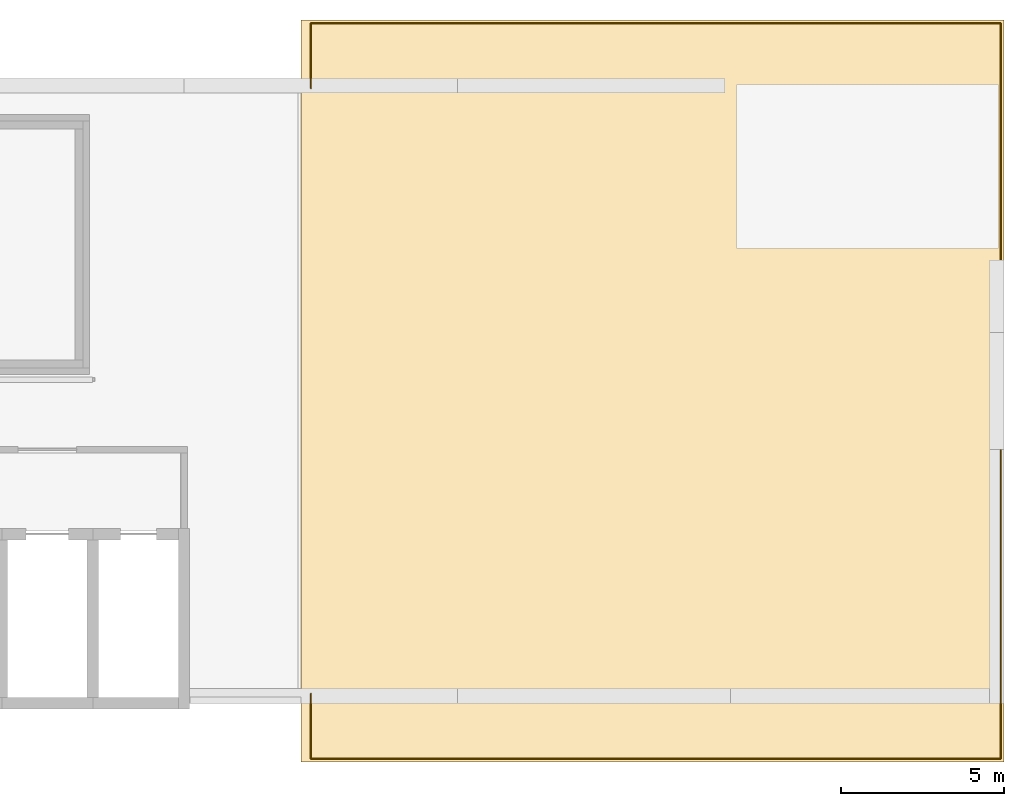
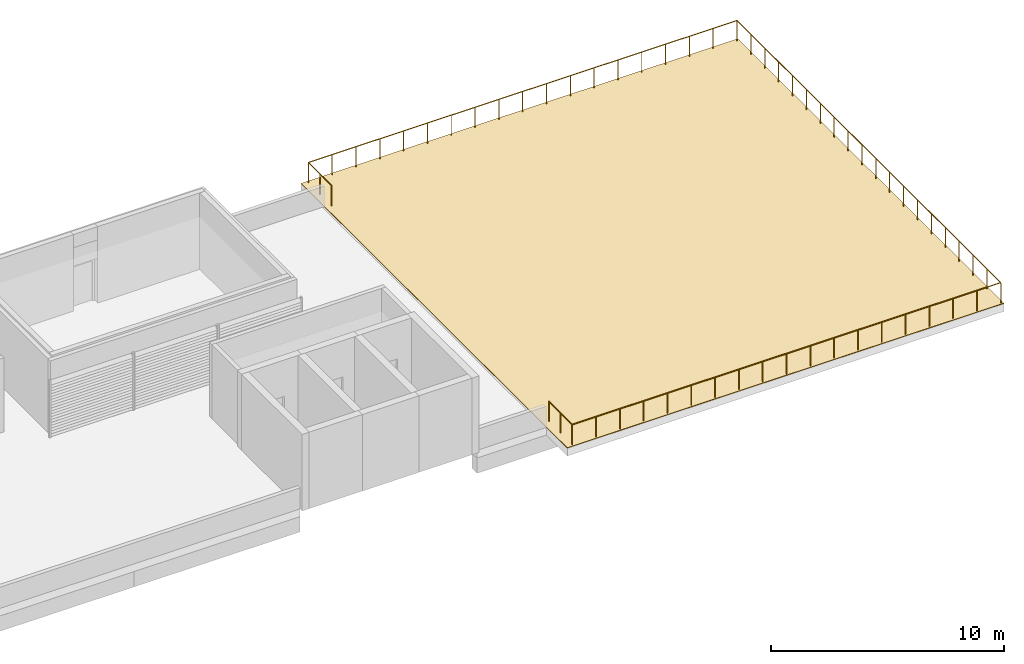
# One storey, part 13 of 13: 1 covering, 1 railing.
"""IFC4 building model written with IfcOpenShell, lengths in metres."""

from ifc_helpers import new_model, si_unit, direction, frame, origin, origin_2d, place, context, subcontext, project, spatial, polyline, circle, outline, extrude, material, layer, layer_set, type_object, element, save


model = new_model("IFC4")

# Units and contexts
model_context = context("Model", 3, precision=1e-05, world=origin(), true_north=direction((0.0, 1.0)))
body_context = subcontext(model_context, "Body", "Model", "MODEL_VIEW")
ifc_project = project(units=[si_unit("LENGTHUNIT", "METRE"), si_unit("AREAUNIT", "SQUARE_METRE"), si_unit("VOLUMEUNIT", "CUBIC_METRE"), si_unit("PLANEANGLEUNIT", "RADIAN"), si_unit("MASSUNIT", "GRAM", prefix="KILO")], contexts=[model_context])

# Site, building, storey
site_placement = place(None, origin())
site = spatial("IfcSite", under=ifc_project, at=site_placement, CompositionType="ELEMENT")
building_placement = place(site_placement, origin())
building = spatial("IfcBuilding", under=site, at=building_placement, Name="Bougainvillea Quay General Hospital", CompositionType="ELEMENT")
storey_placement = place(building_placement, frame((0.0, 0.0, 36.60009765625)))
storey = spatial("IfcBuildingStorey", under=building, at=storey_placement, Name="L08", CompositionType="ELEMENT", Elevation=36.60009765625)

# Covering
ifc_material_1 = material(Name="Epoxy non-slip helideck coating, dark green")
ifc_layer = layer(ifc_material_1, 0.030029296875)
ifc_layer_set = layer_set([ifc_layer], Name="Epoxy non-slip helideck coating, dark green")
covering_type = type_object("IfcCoveringType", Name="Helideck non-slip coating 30", PredefinedType="ROOFING", material=ifc_layer_set)
covering_placement = place(storey_placement, origin())
element("IfcCovering", 1, at=covering_placement, inside=storey, type_object=covering_type, Name="Helideck non-slip coating heli 1", PredefinedType="ROOFING", context=body_context, shape_type="SweptSolid", body=[
    extrude(outline(polyline([(184.800048828125, 138.60009765625), (184.800048828125, 161.39990234375), (163.199951171875, 161.39990234375), (163.199951171875, 138.60009765625), (184.800048828125, 138.60009765625)])), origin(), (0.0, 0.0, 1.0), 0.02978515625),
])

# Railing
ifc_material_2 = material(Name="Stainless steel guard, brushed grade 316", Category="steel")
railing_type = type_object("IfcRailingType", Name="Stainless steel guard 1100", PredefinedType="GUARDRAIL", material=ifc_material_2)
railing_placement = place(storey_placement, frame((163.5, 140.699951171875, 0.0)))
element("IfcRailing", 2, at=railing_placement, inside=storey, type_object=railing_type, Name="Guard heli", PredefinedType="GUARDRAIL", context=body_context, shape_type="SweptSolid", body=[
    extrude(circle(Radius=0.02392578125, at=origin_2d()), frame((0.0, 0.0, 1.076171875), z_axis=(0.0, -1.0, 0.0), x_axis=(1.0, 0.0, 0.0)), (0.0, 0.0, 1.0), 2.0),
    extrude(circle(Radius=0.02392578125, at=origin_2d()), frame((0.0, -2.0, 1.076171875), z_axis=(1.0, 0.0, 0.0), x_axis=(0.0, 1.0, 0.0)), (0.0, 0.0, 1.0), 21.199951171875),
    extrude(circle(Radius=0.02392578125, at=origin_2d()), frame((21.199951171875, -2.0, 1.076171875), z_axis=(0.0, 1.0, 0.0), x_axis=(-1.0, 0.0, 0.0)), (0.0, 0.0, 1.0), 22.60009765625),
    extrude(circle(Radius=0.02392578125, at=origin_2d()), frame((21.199951171875, 20.60009765625, 1.076171875), z_axis=(-1.0, 0.0, 0.0), x_axis=(0.0, -1.0, 0.0)), (0.0, 0.0, 1.0), 21.199951171875),
    extrude(circle(Radius=0.02392578125, at=origin_2d()), frame((0.0, 20.60009765625, 1.076171875), z_axis=(0.0, -1.0, 0.0), x_axis=(1.0, 0.0, 0.0)), (0.0, 0.0, 1.0), 2.0),
    extrude(circle(Radius=0.02099609375, at=origin_2d()), origin(), (0.0, 0.0, 1.0), 1.052001953125),
    extrude(circle(Radius=0.02099609375, at=origin_2d()), frame((0.0, -1.0, 0.0)), (0.0, 0.0, 1.0), 1.052001953125),
    extrude(circle(Radius=0.02099609375, at=origin_2d()), frame((0.0, -2.0, 0.0)), (0.0, 0.0, 1.0), 1.052001953125),
    extrude(circle(Radius=0.02099609375, at=origin_2d()), frame((1.177734375, -2.0, 0.0)), (0.0, 0.0, 1.0), 1.052001953125),
    extrude(circle(Radius=0.02099609375, at=origin_2d()), frame((2.35546875, -2.0, 0.0)), (0.0, 0.0, 1.0), 1.052001953125),
    extrude(circle(Radius=0.02099609375, at=origin_2d()), frame((3.533203125, -2.0, 0.0)), (0.0, 0.0, 1.0), 1.052001953125),
    extrude(circle(Radius=0.02099609375, at=origin_2d()), frame((4.711181640625, -2.0, 0.0)), (0.0, 0.0, 1.0), 1.052001953125),
    extrude(circle(Radius=0.02099609375, at=origin_2d()), frame((5.888916015625, -2.0, 0.0)), (0.0, 0.0, 1.0), 1.052001953125),
    extrude(circle(Radius=0.02099609375, at=origin_2d()), frame((7.066650390625, -2.0, 0.0)), (0.0, 0.0, 1.0), 1.052001953125),
    extrude(circle(Radius=0.02099609375, at=origin_2d()), frame((8.244384765625, -2.0, 0.0)), (0.0, 0.0, 1.0), 1.052001953125),
    extrude(circle(Radius=0.02099609375, at=origin_2d()), frame((9.422119140625, -2.0, 0.0)), (0.0, 0.0, 1.0), 1.052001953125),
    extrude(circle(Radius=0.02099609375, at=origin_2d()), frame((10.60009765625, -2.0, 0.0)), (0.0, 0.0, 1.0), 1.052001953125),
    extrude(circle(Radius=0.02099609375, at=origin_2d()), frame((11.77783203125, -2.0, 0.0)), (0.0, 0.0, 1.0), 1.052001953125),
    extrude(circle(Radius=0.02099609375, at=origin_2d()), frame((12.95556640625, -2.0, 0.0)), (0.0, 0.0, 1.0), 1.052001953125),
    extrude(circle(Radius=0.02099609375, at=origin_2d()), frame((14.13330078125, -2.0, 0.0)), (0.0, 0.0, 1.0), 1.052001953125),
    extrude(circle(Radius=0.02099609375, at=origin_2d()), frame((15.31103515625, -2.0, 0.0)), (0.0, 0.0, 1.0), 1.052001953125),
    extrude(circle(Radius=0.02099609375, at=origin_2d()), frame((16.48876953125, -2.0, 0.0)), (0.0, 0.0, 1.0), 1.052001953125),
    extrude(circle(Radius=0.02099609375, at=origin_2d()), frame((17.66650390625, -2.0, 0.0)), (0.0, 0.0, 1.0), 1.052001953125),
    extrude(circle(Radius=0.02099609375, at=origin_2d()), frame((18.844482421875, -2.0, 0.0)), (0.0, 0.0, 1.0), 1.052001953125),
    extrude(circle(Radius=0.02099609375, at=origin_2d()), frame((20.022216796875, -2.0, 0.0)), (0.0, 0.0, 1.0), 1.052001953125),
    extrude(circle(Radius=0.02099609375, at=origin_2d()), frame((21.199951171875, -2.0, 0.0)), (0.0, 0.0, 1.0), 1.052001953125),
    extrude(circle(Radius=0.02099609375, at=origin_2d()), frame((21.199951171875, -0.810546875, 0.0)), (0.0, 0.0, 1.0), 1.052001953125),
    extrude(circle(Radius=0.02099609375, at=origin_2d()), frame((21.199951171875, 0.37890625, 0.0)), (0.0, 0.0, 1.0), 1.052001953125),
    extrude(circle(Radius=0.02099609375, at=origin_2d()), frame((21.199951171875, 1.568359375, 0.0)), (0.0, 0.0, 1.0), 1.052001953125),
    extrude(circle(Radius=0.02099609375, at=origin_2d()), frame((21.199951171875, 2.7578125, 0.0)), (0.0, 0.0, 1.0), 1.052001953125),
    extrude(circle(Radius=0.02099609375, at=origin_2d()), frame((21.199951171875, 3.947509765625, 0.0)), (0.0, 0.0, 1.0), 1.052001953125),
    extrude(circle(Radius=0.02099609375, at=origin_2d()), frame((21.199951171875, 5.136962890625, 0.0)), (0.0, 0.0, 1.0), 1.052001953125),
    extrude(circle(Radius=0.02099609375, at=origin_2d()), frame((21.199951171875, 6.326416015625, 0.0)), (0.0, 0.0, 1.0), 1.052001953125),
    extrude(circle(Radius=0.02099609375, at=origin_2d()), frame((21.199951171875, 7.515869140625, 0.0)), (0.0, 0.0, 1.0), 1.052001953125),
    extrude(circle(Radius=0.02099609375, at=origin_2d()), frame((21.199951171875, 8.705322265625, 0.0)), (0.0, 0.0, 1.0), 1.052001953125),
    extrude(circle(Radius=0.02099609375, at=origin_2d()), frame((21.199951171875, 9.894775390625, 0.0)), (0.0, 0.0, 1.0), 1.052001953125),
    extrude(circle(Radius=0.02099609375, at=origin_2d()), frame((21.199951171875, 11.084228515625, 0.0)), (0.0, 0.0, 1.0), 1.052001953125),
    extrude(circle(Radius=0.02099609375, at=origin_2d()), frame((21.199951171875, 12.273681640625, 0.0)), (0.0, 0.0, 1.0), 1.052001953125),
    extrude(circle(Radius=0.02099609375, at=origin_2d()), frame((21.199951171875, 13.463134765625, 0.0)), (0.0, 0.0, 1.0), 1.052001953125),
    extrude(circle(Radius=0.02099609375, at=origin_2d()), frame((21.199951171875, 14.652587890625, 0.0)), (0.0, 0.0, 1.0), 1.052001953125),
    extrude(circle(Radius=0.02099609375, at=origin_2d()), frame((21.199951171875, 15.84228515625, 0.0)), (0.0, 0.0, 1.0), 1.052001953125),
    extrude(circle(Radius=0.02099609375, at=origin_2d()), frame((21.199951171875, 17.03173828125, 0.0)), (0.0, 0.0, 1.0), 1.052001953125),
    extrude(circle(Radius=0.02099609375, at=origin_2d()), frame((21.199951171875, 18.22119140625, 0.0)), (0.0, 0.0, 1.0), 1.052001953125),
    extrude(circle(Radius=0.02099609375, at=origin_2d()), frame((21.199951171875, 19.41064453125, 0.0)), (0.0, 0.0, 1.0), 1.052001953125),
    extrude(circle(Radius=0.02099609375, at=origin_2d()), frame((21.199951171875, 20.60009765625, 0.0)), (0.0, 0.0, 1.0), 1.052001953125),
    extrude(circle(Radius=0.02099609375, at=origin_2d()), frame((20.022216796875, 20.60009765625, 0.0)), (0.0, 0.0, 1.0), 1.052001953125),
    extrude(circle(Radius=0.02099609375, at=origin_2d()), frame((18.844482421875, 20.60009765625, 0.0)), (0.0, 0.0, 1.0), 1.052001953125),
    extrude(circle(Radius=0.02099609375, at=origin_2d()), frame((17.66650390625, 20.60009765625, 0.0)), (0.0, 0.0, 1.0), 1.052001953125),
    extrude(circle(Radius=0.02099609375, at=origin_2d()), frame((16.48876953125, 20.60009765625, 0.0)), (0.0, 0.0, 1.0), 1.052001953125),
    extrude(circle(Radius=0.02099609375, at=origin_2d()), frame((15.31103515625, 20.60009765625, 0.0)), (0.0, 0.0, 1.0), 1.052001953125),
    extrude(circle(Radius=0.02099609375, at=origin_2d()), frame((14.13330078125, 20.60009765625, 0.0)), (0.0, 0.0, 1.0), 1.052001953125),
    extrude(circle(Radius=0.02099609375, at=origin_2d()), frame((12.95556640625, 20.60009765625, 0.0)), (0.0, 0.0, 1.0), 1.052001953125),
    extrude(circle(Radius=0.02099609375, at=origin_2d()), frame((11.77783203125, 20.60009765625, 0.0)), (0.0, 0.0, 1.0), 1.052001953125),
    extrude(circle(Radius=0.02099609375, at=origin_2d()), frame((10.60009765625, 20.60009765625, 0.0)), (0.0, 0.0, 1.0), 1.052001953125),
    extrude(circle(Radius=0.02099609375, at=origin_2d()), frame((9.422119140625, 20.60009765625, 0.0)), (0.0, 0.0, 1.0), 1.052001953125),
    extrude(circle(Radius=0.02099609375, at=origin_2d()), frame((8.244384765625, 20.60009765625, 0.0)), (0.0, 0.0, 1.0), 1.052001953125),
    extrude(circle(Radius=0.02099609375, at=origin_2d()), frame((7.066650390625, 20.60009765625, 0.0)), (0.0, 0.0, 1.0), 1.052001953125),
    extrude(circle(Radius=0.02099609375, at=origin_2d()), frame((5.888916015625, 20.60009765625, 0.0)), (0.0, 0.0, 1.0), 1.052001953125),
    extrude(circle(Radius=0.02099609375, at=origin_2d()), frame((4.711181640625, 20.60009765625, 0.0)), (0.0, 0.0, 1.0), 1.052001953125),
    extrude(circle(Radius=0.02099609375, at=origin_2d()), frame((3.533203125, 20.60009765625, 0.0)), (0.0, 0.0, 1.0), 1.052001953125),
    extrude(circle(Radius=0.02099609375, at=origin_2d()), frame((2.35546875, 20.60009765625, 0.0)), (0.0, 0.0, 1.0), 1.052001953125),
    extrude(circle(Radius=0.02099609375, at=origin_2d()), frame((1.177734375, 20.60009765625, 0.0)), (0.0, 0.0, 1.0), 1.052001953125),
    extrude(circle(Radius=0.02099609375, at=origin_2d()), frame((0.0, 20.60009765625, 0.0)), (0.0, 0.0, 1.0), 1.052001953125),
    extrude(circle(Radius=0.02099609375, at=origin_2d()), frame((0.0, 19.60009765625, 0.0)), (0.0, 0.0, 1.0), 1.052001953125),
    extrude(circle(Radius=0.02099609375, at=origin_2d()), frame((0.0, 18.60009765625, 0.0)), (0.0, 0.0, 1.0), 1.052001953125),
])

save(model, "model.ifc")
